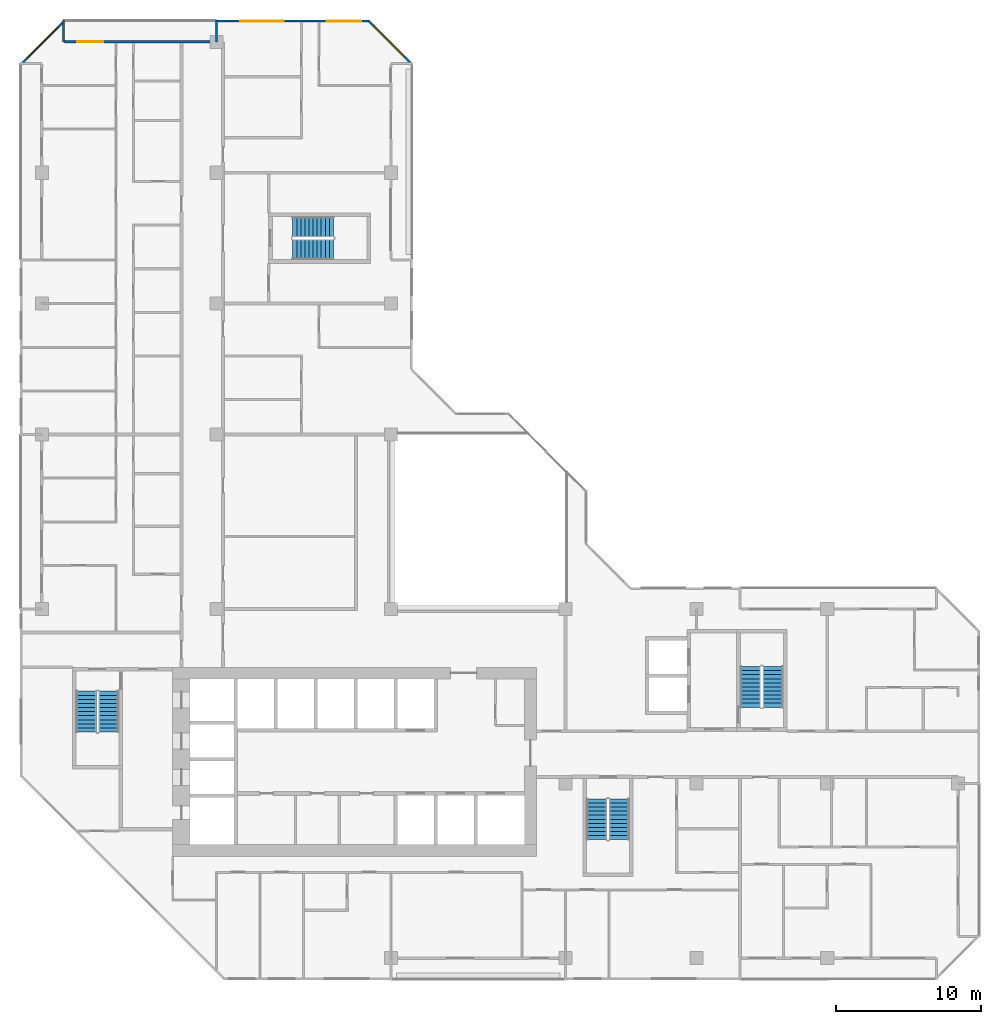
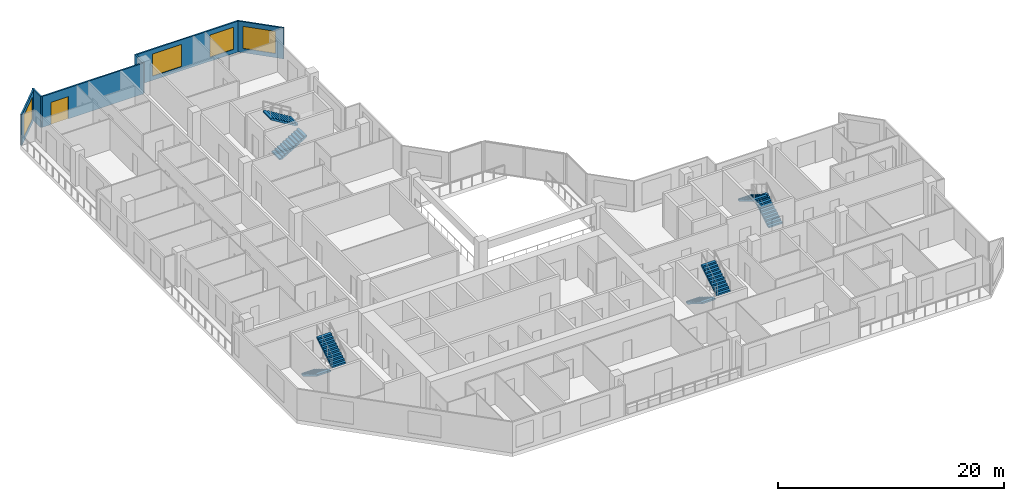
# One storey, part 13 of 15: 8 stair flights, 6 walls, 4 windows, 1 door, 5 openings, 4 elements without a shape of their own.
"""IFC4 building model written with IfcOpenShell, lengths in metres."""

from ifc_helpers import new_model, si_unit, direction, frame, frame_2d, origin, place, context, subcontext, project, spatial, polyline, rectangle, outline, extrude, material, layer, layer_set, type_object, element, fill, aggregate, save


model = new_model("IFC4")

# Units and contexts
model_context = context("Model", 3, precision=1e-05, world=origin(), true_north=direction((0.0, 1.0)))
body_context = subcontext(model_context, "Body", "Model", "MODEL_VIEW")
ifc_project = project(units=[si_unit("LENGTHUNIT", "METRE"), si_unit("AREAUNIT", "SQUARE_METRE"), si_unit("VOLUMEUNIT", "CUBIC_METRE"), si_unit("PLANEANGLEUNIT", "RADIAN"), si_unit("MASSUNIT", "GRAM", prefix="KILO")], contexts=[model_context])

# Site, building, storey
site_placement = place(None, origin())
site = spatial("IfcSite", under=ifc_project, at=site_placement, CompositionType="ELEMENT")
building_placement = place(site_placement, origin())
building = spatial("IfcBuilding", under=site, at=building_placement, Name="Chenar Terraces", CompositionType="ELEMENT")
storey_placement = place(building_placement, frame((0.0, 0.0, 176.14990234375)))
storey = spatial("IfcBuildingStorey", under=building, at=storey_placement, Name="L40", CompositionType="ELEMENT", Elevation=176.14990234375)

# Wall, openings, windows
ifc_material_1 = material(Name="Aluminium framed glazing", Category="aluminium")
ifc_layer_1 = layer(ifc_material_1, 0.14990234375)
ifc_layer_set_1 = layer_set([ifc_layer_1], Name="Aluminium framed glazing")
wall_type_1 = type_object("IfcWallType", Name="Glazed flush facade wall 150", PredefinedType="SOLIDWALL", material=ifc_layer_set_1)
wall_1_placement = place(storey_placement, frame((22.5, 64.425048828125, 0.0), z_axis=(0.0, 0.0, 1.0), x_axis=(-1.0, 0.0, 0.0)))
wall_1 = element("IfcWall", 1, at=wall_1_placement, inside=storey, type_object=wall_type_1, Name="Glazed flush facade wall", PredefinedType="SOLIDWALL", context=body_context, shape_type="SweptSolid", body=[
    extrude(rectangle(XDim=10.425048828125, YDim=0.14990234375, at=frame_2d((5.21240234375, 0.0))), origin(), (0.0, 0.0, 1.0), 3.35009765625),
])
opening_1_placement = place(wall_1_placement, frame((0.52490234375, 0.0, 0.449951171875)))
opening_1 = element("IfcOpeningElement", 2, at=opening_1_placement, cuts=wall_1, Name="Opening W240x240", PredefinedType="OPENING", context=body_context, shape_type="SweptSolid", body=[
    extrude(rectangle(XDim=2.39990234375, YDim=2.39990234375, at=frame_2d((1.199951171875, 1.199951171875))), frame((0.0, 0.0849609375, 0.0), z_axis=(0.0, -1.0, 0.0), x_axis=(1.0, 0.0, 0.0)), (0.0, 0.0, 1.0), 0.169921875),
])
opening_2_placement = place(wall_1_placement, frame((5.85009765625, 0.0, 0.449951171875)))
opening_2 = element("IfcOpeningElement", 3, at=opening_2_placement, cuts=wall_1, Name="Opening W300x240", PredefinedType="OPENING", context=body_context, shape_type="SweptSolid", body=[
    extrude(rectangle(XDim=3.0, YDim=2.39990234375, at=frame_2d((1.5, 1.199951171875))), frame((0.0, 0.0849609375, 0.0), z_axis=(0.0, -1.0, 0.0), x_axis=(1.0, 0.0, 0.0)), (0.0, 0.0, 1.0), 0.169921875),
])
ifc_material_2 = material(Name="Low emissivity double glazing, aluminium frame", Category="aluminium")
window_type_1 = type_object("IfcWindowType", Name="Fixed light 2400 x 2400", PartitioningType="SINGLE_PANEL", PredefinedType="WINDOW", material=ifc_material_2)
window_1_placement = place(opening_1_placement, origin())
window_1 = element("IfcWindow", 4, at=window_1_placement, inside=storey, type_object=window_type_1, Name="Window", OverallHeight=2.39990234375, OverallWidth=2.39990234375, PartitioningType="SINGLE_PANEL", PredefinedType="WINDOW", context=body_context, shape_type="SweptSolid", body=[
    extrude(rectangle(XDim=2.39990234375, YDim=2.39990234375, at=frame_2d((1.199951171875, 1.199951171875))), frame((0.0, 0.030029296875, 0.0), z_axis=(0.0, -1.0, 0.0), x_axis=(1.0, 0.0, 0.0)), (0.0, 0.0, 1.0), 0.06005859375),
])
fill(opening_1, window_1)
ifc_material_3 = material(Name="Low emissivity double glazing, aluminium frame", Category="aluminium")
window_type_2 = type_object("IfcWindowType", Name="Fixed light 3000 x 2400", PartitioningType="SINGLE_PANEL", PredefinedType="WINDOW", material=ifc_material_3)
window_2_placement = place(opening_2_placement, origin())
window_2 = element("IfcWindow", 5, at=window_2_placement, inside=storey, type_object=window_type_2, Name="Window", OverallHeight=2.39990234375, OverallWidth=3.0, PartitioningType="SINGLE_PANEL", PredefinedType="WINDOW", context=body_context, shape_type="SweptSolid", body=[
    extrude(rectangle(XDim=3.0, YDim=2.39990234375, at=frame_2d((1.5, 1.199951171875))), frame((0.0, 0.030029296875, 0.0), z_axis=(0.0, -1.0, 0.0), x_axis=(1.0, 0.0, 0.0)), (0.0, 0.0, 1.0), 0.06005859375),
])
fill(opening_2, window_2)

# Wall, opening, door
ifc_material_4 = material(Name="Aluminium framed glazing", Category="aluminium")
ifc_layer_2 = layer(ifc_material_4, 0.14990234375)
ifc_layer_set_2 = layer_set([ifc_layer_2], Name="Aluminium framed glazing")
wall_type_2 = type_object("IfcWallType", Name="Glazed loggia back wall 150", PredefinedType="SOLIDWALL", material=ifc_layer_set_2)
wall_2_placement = place(storey_placement, frame((11.925048828125, 63.0, 0.0), z_axis=(0.0, 0.0, 1.0), x_axis=(-1.0, 0.0, 0.0)))
wall_2 = element("IfcWall", 6, at=wall_2_placement, inside=storey, type_object=wall_type_2, Name="Glazed loggia back wall", PredefinedType="SOLIDWALL", context=body_context, shape_type="SweptSolid", body=[
    extrude(rectangle(XDim=10.35009765625, YDim=0.14990234375, at=frame_2d((5.175048828125, 0.0))), origin(), (0.0, 0.0, 1.0), 3.35009765625),
])
opening_3_placement = place(wall_2_placement, frame((7.6875, 0.0, 0.0)))
opening_3 = element("IfcOpeningElement", 7, at=opening_3_placement, cuts=wall_2, Name="Opening DL40-G3", PredefinedType="OPENING", context=body_context, shape_type="SweptSolid", body=[
    extrude(rectangle(XDim=1.800048828125, YDim=2.39990234375, at=frame_2d((0.89990234375, 1.199951171875))), frame((0.0, 0.0849609375, 0.0), z_axis=(0.0, -1.0, 0.0), x_axis=(1.0, 0.0, 0.0)), (0.0, 0.0, 1.0), 0.169921875),
])
ifc_material_5 = material(Name="Low emissivity double glazing, aluminium frame", Category="aluminium")
door_type = type_object("IfcDoorType", Name="Loggia glazed double door 1800 x 2400", OperationType="DOUBLE_DOOR_SINGLE_SWING", PredefinedType="DOOR", material=ifc_material_5)
door_placement = place(opening_3_placement, frame((1.800048828125, 0.0, 0.0), z_axis=(0.0, 0.0, 1.0), x_axis=(-1.0, 0.0, 0.0)))
door = element("IfcDoor", 8, at=door_placement, inside=storey, type_object=door_type, Name="Loggia glazed door", OperationType="DOUBLE_DOOR_SINGLE_SWING", OverallHeight=2.39990234375, OverallWidth=1.800048828125, PredefinedType="DOOR", context=body_context, shape_type="SweptSolid", body=[
    extrude(rectangle(XDim=1.800048828125, YDim=2.39990234375, at=frame_2d((0.89990234375, 1.199951171875))), frame((0.0, 0.02490234375, 0.0), z_axis=(0.0, -1.0, 0.0), x_axis=(1.0, 0.0, 0.0)), (0.0, 0.0, 1.0), 0.050048828125),
])
fill(opening_3, door)

# Walls
ifc_material_6 = material(Name="Terracotta cladding on insulated backing", Category="masonry")
ifc_layer_3 = layer(ifc_material_6, 0.14990234375)
ifc_layer_set_3 = layer_set([ifc_layer_3], Name="Terracotta cladding on insulated backing")
wall_type_3 = type_object("IfcWallType", Name="Loggia return wall 150", PredefinedType="SOLIDWALL", material=ifc_layer_set_3)
for number, where, z_axis, x_axis, name in (
    (9, (12.0, 64.5, 0.0), (0.0, 0.0, 1.0), (0.0, -1.0, 0.0), "Loggia return wall"),
    (10, (1.5, 64.5, 0.0), (0.0, 0.0, 1.0), (0.0, -1.0, 0.0), "Loggia return wall"),
):
    element("IfcWall", number, at=place(storey_placement, frame(where, z_axis=z_axis, x_axis=x_axis)), inside=storey, type_object=wall_type_3, Name=name, PredefinedType="SOLIDWALL", context=body_context, shape_type="SweptSolid", body=[
        extrude(rectangle(XDim=1.5, YDim=0.14990234375, at=frame_2d((0.75, 0.0))), origin(), (0.0, 0.0, 1.0), 3.35009765625),
    ])

# Wall, opening, window
ifc_material_7 = material(Name="Terracotta cladding on insulated backing", Category="masonry")
ifc_layer_4 = layer(ifc_material_7, 0.14990234375)
ifc_layer_set_4 = layer_set([ifc_layer_4], Name="Terracotta cladding on insulated backing")
wall_type_4 = type_object("IfcWallType", Name="Terracotta rainscreen wall 150", PredefinedType="SOLIDWALL", material=ifc_layer_set_4)
wall_3_placement = place(storey_placement, frame((25.447021484375, 61.447021484375, 0.0), z_axis=(0.0, 0.0, 1.0), x_axis=(-0.707106781187, 0.707106781187, 0.0)))
wall_3 = element("IfcWall", 11, at=wall_3_placement, inside=storey, type_object=wall_type_4, Name="Terracotta rainscreen wall", PredefinedType="SOLIDWALL", context=body_context, shape_type="SweptSolid", body=[
    extrude(rectangle(XDim=4.24267578125, YDim=0.14990234375, at=frame_2d((2.121337890625, 0.0))), origin(), (0.0, 0.0, 1.0), 3.35009765625),
])
opening_4_placement = place(wall_3_placement, frame((0.744384765625, 0.0, 0.449951171875)))
opening_4 = element("IfcOpeningElement", 12, at=opening_4_placement, cuts=wall_3, Name="Opening W300x240", PredefinedType="OPENING", context=body_context, shape_type="SweptSolid", body=[
    extrude(rectangle(XDim=3.0, YDim=2.39990234375, at=frame_2d((1.5, 1.199951171875))), frame((0.0, 0.0849609375, 0.0), z_axis=(0.0, -1.0, 0.0), x_axis=(1.0, 0.0, 0.0)), (0.0, 0.0, 1.0), 0.169921875),
])
window_3_placement = place(opening_4_placement, origin())
window_3 = element("IfcWindow", 13, at=window_3_placement, inside=storey, type_object=window_type_2, Name="Window", OverallHeight=2.39990234375, OverallWidth=3.0, PartitioningType="SINGLE_PANEL", PredefinedType="WINDOW", context=body_context, shape_type="SweptSolid", body=[
    extrude(rectangle(XDim=3.0, YDim=2.39990234375, at=frame_2d((1.5, 1.199951171875))), frame((0.0, 0.030029296875, 0.0), z_axis=(0.0, -1.0, 0.0), x_axis=(1.0, 0.0, 0.0)), (0.0, 0.0, 1.0), 0.06005859375),
])
fill(opening_4, window_3)

wall_4_placement = place(storey_placement, frame((1.552978515625, 64.447021484375, 0.0), z_axis=(0.0, 0.0, 1.0), x_axis=(-0.707106781187, -0.707106781187, 0.0)))
wall_4 = element("IfcWall", 14, at=wall_4_placement, inside=storey, type_object=wall_type_4, Name="Terracotta rainscreen wall", PredefinedType="SOLIDWALL", context=body_context, shape_type="SweptSolid", body=[
    extrude(rectangle(XDim=4.24267578125, YDim=0.14990234375, at=frame_2d((2.121337890625, 0.0))), origin(), (0.0, 0.0, 1.0), 3.35009765625),
])
opening_5_placement = place(wall_4_placement, frame((0.621337890625, 0.0, 0.449951171875)))
opening_5 = element("IfcOpeningElement", 15, at=opening_5_placement, cuts=wall_4, Name="Opening W300x240", PredefinedType="OPENING", context=body_context, shape_type="SweptSolid", body=[
    extrude(rectangle(XDim=3.0, YDim=2.39990234375, at=frame_2d((1.5, 1.199951171875))), frame((0.0, 0.0849609375, 0.0), z_axis=(0.0, -1.0, 0.0), x_axis=(1.0, 0.0, 0.0)), (0.0, 0.0, 1.0), 0.169921875),
])
window_4_placement = place(opening_5_placement, origin())
window_4 = element("IfcWindow", 16, at=window_4_placement, inside=storey, type_object=window_type_2, Name="Window", OverallHeight=2.39990234375, OverallWidth=3.0, PartitioningType="SINGLE_PANEL", PredefinedType="WINDOW", context=body_context, shape_type="SweptSolid", body=[
    extrude(rectangle(XDim=3.0, YDim=2.39990234375, at=frame_2d((1.5, 1.199951171875))), frame((0.0, 0.030029296875, 0.0), z_axis=(0.0, -1.0, 0.0), x_axis=(1.0, 0.0, 0.0)), (0.0, 0.0, 1.0), 0.06005859375),
])
fill(opening_5, window_4)

# Stair, stair flights
ifc_material_8 = material(Name="Reinforced concrete C40/50", Category="concrete")
stair_type = type_object("IfcStairType", Name="Core stair 1400 half-turn", PredefinedType="HALF_TURN_STAIR", material=ifc_material_8)
placement = place(storey_placement, origin())
stair_1 = element("IfcStair", 17, at=placement, inside=storey, type_object=stair_type, Name="L40 Stair 1", PredefinedType="HALF_TURN_STAIR")
ifc_material_9 = material(Name="Reinforced concrete C40/50", Category="concrete")
stair_flight_type = type_object("IfcStairFlightType", Name="Core stair flight 1400", PredefinedType="STRAIGHT", material=ifc_material_9)
stair_flight_1_placement = place(storey_placement, frame((3.050048828125, 18.35009765625, 0.0), z_axis=(0.0, 0.0, 1.0), x_axis=(0.0, -1.0, 0.0)))
stair_flight_1 = element("IfcStairFlight", 18, at=stair_flight_1_placement, type_object=stair_flight_type, Name="ST1 flight 1", NumberOfRisers=11, NumberOfTreads=10, PredefinedType="STRAIGHT", RiserHeight=0.170454545, TreadLength=0.28, context=body_context, shape_type="SweptSolid", body=[
    extrude(outline(polyline([(-0.0029296875, 0.0), (-0.0029296875, 0.17041015625), (0.0, 0.17041015625), (0.280029296875, 0.17041015625), (0.280029296875, 0.3408203125), (0.56005859375, 0.3408203125), (0.56005859375, 0.511474609375), (0.840087890625, 0.511474609375), (0.840087890625, 0.681884765625), (1.1201171875, 0.681884765625), (1.1201171875, 0.852294921875), (1.39990234375, 0.852294921875), (1.39990234375, 1.022705078125), (1.679931640625, 1.022705078125), (1.679931640625, 1.193115234375), (1.9599609375, 1.193115234375), (1.9599609375, 1.363525390625), (2.239990234375, 1.363525390625), (2.239990234375, 1.5341796875), (2.52001953125, 1.5341796875), (2.52001953125, 1.70458984375), (2.800048828125, 1.70458984375), (2.802978515625, 1.70458984375), (2.802978515625, 1.529052734375), (2.800048828125, 1.529052734375), (0.288330078125, 0.0), (-0.0029296875, 0.0)])), frame((0.0, 0.699951171875, 0.0), z_axis=(0.0, -1.0, 0.0), x_axis=(1.0, 0.0, 0.0)), (0.0, 0.0, 1.0), 1.39990234375),
])
stair_flight_2_placement = place(storey_placement, frame((4.60009765625, 15.550048828125, 1.875), z_axis=(0.0, 0.0, 1.0), x_axis=(0.0, 1.0, 0.0)))
stair_flight_2 = element("IfcStairFlight", 19, at=stair_flight_2_placement, type_object=stair_flight_type, Name="ST1 flight 2", NumberOfRisers=11, NumberOfTreads=10, PredefinedType="STRAIGHT", RiserHeight=0.170454545, TreadLength=0.28, context=body_context, shape_type="SweptSolid", body=[
    extrude(outline(polyline([(-0.0029296875, 0.0), (-0.0029296875, 0.17041015625), (0.0, 0.17041015625), (0.280029296875, 0.17041015625), (0.280029296875, 0.3408203125), (0.56005859375, 0.3408203125), (0.56005859375, 0.511474609375), (0.840087890625, 0.511474609375), (0.840087890625, 0.681884765625), (1.1201171875, 0.681884765625), (1.1201171875, 0.852294921875), (1.39990234375, 0.852294921875), (1.39990234375, 1.022705078125), (1.679931640625, 1.022705078125), (1.679931640625, 1.193115234375), (1.9599609375, 1.193115234375), (1.9599609375, 1.363525390625), (2.239990234375, 1.363525390625), (2.239990234375, 1.5341796875), (2.52001953125, 1.5341796875), (2.52001953125, 1.70458984375), (2.800048828125, 1.70458984375), (2.802978515625, 1.70458984375), (2.802978515625, 1.529052734375), (2.800048828125, 1.529052734375), (0.288330078125, 0.0), (-0.0029296875, 0.0)])), frame((0.0, 0.699951171875, 0.0), z_axis=(0.0, -1.0, 0.0), x_axis=(1.0, 0.0, 0.0)), (0.0, 0.0, 1.0), 1.39990234375),
])
aggregate(stair_1, [stair_flight_1, stair_flight_2])

stair_2 = element("IfcStair", 20, at=placement, inside=storey, type_object=stair_type, Name="L40 Stair 2", PredefinedType="HALF_TURN_STAIR")
stair_flight_3_placement = place(storey_placement, frame((38.14990234375, 10.949951171875, 0.0), z_axis=(0.0, 0.0, 1.0), x_axis=(0.0, -1.0, 0.0)))
stair_flight_3 = element("IfcStairFlight", 21, at=stair_flight_3_placement, type_object=stair_flight_type, Name="ST2 flight 1", NumberOfRisers=11, NumberOfTreads=10, PredefinedType="STRAIGHT", RiserHeight=0.170454545, TreadLength=0.28, context=body_context, shape_type="SweptSolid", body=[
    extrude(outline(polyline([(-0.0029296875, 0.0), (-0.0029296875, 0.17041015625), (0.0, 0.17041015625), (0.280029296875, 0.17041015625), (0.280029296875, 0.3408203125), (0.56005859375, 0.3408203125), (0.56005859375, 0.511474609375), (0.840087890625, 0.511474609375), (0.840087890625, 0.681884765625), (1.1201171875, 0.681884765625), (1.1201171875, 0.852294921875), (1.39990234375, 0.852294921875), (1.39990234375, 1.022705078125), (1.679931640625, 1.022705078125), (1.679931640625, 1.193115234375), (1.9599609375, 1.193115234375), (1.9599609375, 1.363525390625), (2.239990234375, 1.363525390625), (2.239990234375, 1.5341796875), (2.52001953125, 1.5341796875), (2.52001953125, 1.70458984375), (2.800048828125, 1.70458984375), (2.802978515625, 1.70458984375), (2.802978515625, 1.529052734375), (2.800048828125, 1.529052734375), (0.288330078125, 0.0), (-0.0029296875, 0.0)])), frame((0.0, 0.699951171875, 0.0), z_axis=(0.0, -1.0, 0.0), x_axis=(1.0, 0.0, 0.0)), (0.0, 0.0, 1.0), 1.39990234375),
])
stair_flight_4_placement = place(storey_placement, frame((39.699951171875, 8.14990234375, 1.875), z_axis=(0.0, 0.0, 1.0), x_axis=(0.0, 1.0, 0.0)))
stair_flight_4 = element("IfcStairFlight", 22, at=stair_flight_4_placement, type_object=stair_flight_type, Name="ST2 flight 2", NumberOfRisers=11, NumberOfTreads=10, PredefinedType="STRAIGHT", RiserHeight=0.170454545, TreadLength=0.28, context=body_context, shape_type="SweptSolid", body=[
    extrude(outline(polyline([(-0.0029296875, 0.0), (-0.0029296875, 0.17041015625), (0.0, 0.17041015625), (0.280029296875, 0.17041015625), (0.280029296875, 0.3408203125), (0.56005859375, 0.3408203125), (0.56005859375, 0.511474609375), (0.840087890625, 0.511474609375), (0.840087890625, 0.681884765625), (1.1201171875, 0.681884765625), (1.1201171875, 0.852294921875), (1.39990234375, 0.852294921875), (1.39990234375, 1.022705078125), (1.679931640625, 1.022705078125), (1.679931640625, 1.193115234375), (1.9599609375, 1.193115234375), (1.9599609375, 1.363525390625), (2.239990234375, 1.363525390625), (2.239990234375, 1.5341796875), (2.52001953125, 1.5341796875), (2.52001953125, 1.70458984375), (2.800048828125, 1.70458984375), (2.802978515625, 1.70458984375), (2.802978515625, 1.529052734375), (2.800048828125, 1.529052734375), (0.288330078125, 0.0), (-0.0029296875, 0.0)])), frame((0.0, 0.699951171875, 0.0), z_axis=(0.0, -1.0, 0.0), x_axis=(1.0, 0.0, 0.0)), (0.0, 0.0, 1.0), 1.39990234375),
])
aggregate(stair_2, [stair_flight_3, stair_flight_4])

stair_3 = element("IfcStair", 23, at=placement, inside=storey, type_object=stair_type, Name="L40 Stair 3", PredefinedType="HALF_TURN_STAIR")
stair_flight_5_placement = place(storey_placement, frame((50.27490234375, 17.25, 0.0), z_axis=(0.0, 0.0, 1.0), x_axis=(0.0, 1.0, 0.0)))
stair_flight_5 = element("IfcStairFlight", 24, at=stair_flight_5_placement, type_object=stair_flight_type, Name="ST3 flight 1", NumberOfRisers=11, NumberOfTreads=10, PredefinedType="STRAIGHT", RiserHeight=0.170454545, TreadLength=0.28, context=body_context, shape_type="SweptSolid", body=[
    extrude(outline(polyline([(-0.0029296875, 0.0), (-0.0029296875, 0.17041015625), (0.0, 0.17041015625), (0.280029296875, 0.17041015625), (0.280029296875, 0.3408203125), (0.56005859375, 0.3408203125), (0.56005859375, 0.511474609375), (0.840087890625, 0.511474609375), (0.840087890625, 0.681884765625), (1.1201171875, 0.681884765625), (1.1201171875, 0.852294921875), (1.39990234375, 0.852294921875), (1.39990234375, 1.022705078125), (1.679931640625, 1.022705078125), (1.679931640625, 1.193115234375), (1.9599609375, 1.193115234375), (1.9599609375, 1.363525390625), (2.239990234375, 1.363525390625), (2.239990234375, 1.5341796875), (2.52001953125, 1.5341796875), (2.52001953125, 1.70458984375), (2.800048828125, 1.70458984375), (2.802978515625, 1.70458984375), (2.802978515625, 1.529052734375), (2.800048828125, 1.529052734375), (0.288330078125, 0.0), (-0.0029296875, 0.0)])), frame((0.0, 0.699951171875, 0.0), z_axis=(0.0, -1.0, 0.0), x_axis=(1.0, 0.0, 0.0)), (0.0, 0.0, 1.0), 1.39990234375),
])
stair_flight_6_placement = place(storey_placement, frame((48.72509765625, 20.050048828125, 1.875), z_axis=(0.0, 0.0, 1.0), x_axis=(0.0, -1.0, 0.0)))
stair_flight_6 = element("IfcStairFlight", 25, at=stair_flight_6_placement, type_object=stair_flight_type, Name="ST3 flight 2", NumberOfRisers=11, NumberOfTreads=10, PredefinedType="STRAIGHT", RiserHeight=0.170454545, TreadLength=0.28, context=body_context, shape_type="SweptSolid", body=[
    extrude(outline(polyline([(-0.0029296875, 0.0), (-0.0029296875, 0.17041015625), (0.0, 0.17041015625), (0.280029296875, 0.17041015625), (0.280029296875, 0.3408203125), (0.56005859375, 0.3408203125), (0.56005859375, 0.511474609375), (0.840087890625, 0.511474609375), (0.840087890625, 0.681884765625), (1.1201171875, 0.681884765625), (1.1201171875, 0.852294921875), (1.39990234375, 0.852294921875), (1.39990234375, 1.022705078125), (1.679931640625, 1.022705078125), (1.679931640625, 1.193115234375), (1.9599609375, 1.193115234375), (1.9599609375, 1.363525390625), (2.239990234375, 1.363525390625), (2.239990234375, 1.5341796875), (2.52001953125, 1.5341796875), (2.52001953125, 1.70458984375), (2.800048828125, 1.70458984375), (2.802978515625, 1.70458984375), (2.802978515625, 1.529052734375), (2.800048828125, 1.529052734375), (0.288330078125, 0.0), (-0.0029296875, 0.0)])), frame((0.0, 0.699951171875, 0.0), z_axis=(0.0, -1.0, 0.0), x_axis=(1.0, 0.0, 0.0)), (0.0, 0.0, 1.0), 1.39990234375),
])
aggregate(stair_3, [stair_flight_5, stair_flight_6])

stair_4 = element("IfcStair", 26, at=placement, inside=storey, type_object=stair_type, Name="L40 Stair 4", PredefinedType="HALF_TURN_STAIR")
stair_flight_7_placement = place(storey_placement, frame((17.25, 48.72509765625, 0.0), z_axis=(0.0, 0.0, 1.0), x_axis=(1.0, 0.0, 0.0)))
stair_flight_7 = element("IfcStairFlight", 27, at=stair_flight_7_placement, type_object=stair_flight_type, Name="ST4 flight 1", NumberOfRisers=11, NumberOfTreads=10, PredefinedType="STRAIGHT", RiserHeight=0.170454545, TreadLength=0.28, context=body_context, shape_type="SweptSolid", body=[
    extrude(outline(polyline([(-0.0029296875, 0.0), (-0.0029296875, 0.17041015625), (0.0, 0.17041015625), (0.280029296875, 0.17041015625), (0.280029296875, 0.3408203125), (0.56005859375, 0.3408203125), (0.56005859375, 0.511474609375), (0.840087890625, 0.511474609375), (0.840087890625, 0.681884765625), (1.1201171875, 0.681884765625), (1.1201171875, 0.852294921875), (1.39990234375, 0.852294921875), (1.39990234375, 1.022705078125), (1.679931640625, 1.022705078125), (1.679931640625, 1.193115234375), (1.9599609375, 1.193115234375), (1.9599609375, 1.363525390625), (2.239990234375, 1.363525390625), (2.239990234375, 1.5341796875), (2.52001953125, 1.5341796875), (2.52001953125, 1.70458984375), (2.800048828125, 1.70458984375), (2.802978515625, 1.70458984375), (2.802978515625, 1.529052734375), (2.800048828125, 1.529052734375), (0.288330078125, 0.0), (-0.0029296875, 0.0)])), frame((0.0, 0.699951171875, 0.0), z_axis=(0.0, -1.0, 0.0), x_axis=(1.0, 0.0, 0.0)), (0.0, 0.0, 1.0), 1.39990234375),
])
stair_flight_8_placement = place(storey_placement, frame((20.050048828125, 50.27490234375, 1.875), z_axis=(0.0, 0.0, 1.0), x_axis=(-1.0, 0.0, 0.0)))
stair_flight_8 = element("IfcStairFlight", 28, at=stair_flight_8_placement, type_object=stair_flight_type, Name="ST4 flight 2", NumberOfRisers=11, NumberOfTreads=10, PredefinedType="STRAIGHT", RiserHeight=0.170454545, TreadLength=0.28, context=body_context, shape_type="SweptSolid", body=[
    extrude(outline(polyline([(-0.0029296875, 0.0), (-0.0029296875, 0.17041015625), (0.0, 0.17041015625), (0.280029296875, 0.17041015625), (0.280029296875, 0.3408203125), (0.56005859375, 0.3408203125), (0.56005859375, 0.511474609375), (0.840087890625, 0.511474609375), (0.840087890625, 0.681884765625), (1.1201171875, 0.681884765625), (1.1201171875, 0.852294921875), (1.39990234375, 0.852294921875), (1.39990234375, 1.022705078125), (1.679931640625, 1.022705078125), (1.679931640625, 1.193115234375), (1.9599609375, 1.193115234375), (1.9599609375, 1.363525390625), (2.239990234375, 1.363525390625), (2.239990234375, 1.5341796875), (2.52001953125, 1.5341796875), (2.52001953125, 1.70458984375), (2.800048828125, 1.70458984375), (2.802978515625, 1.70458984375), (2.802978515625, 1.529052734375), (2.800048828125, 1.529052734375), (0.288330078125, 0.0), (-0.0029296875, 0.0)])), frame((0.0, 0.699951171875, 0.0), z_axis=(0.0, -1.0, 0.0), x_axis=(1.0, 0.0, 0.0)), (0.0, 0.0, 1.0), 1.39990234375),
])
aggregate(stair_4, [stair_flight_7, stair_flight_8])

save(model, "model.ifc")
